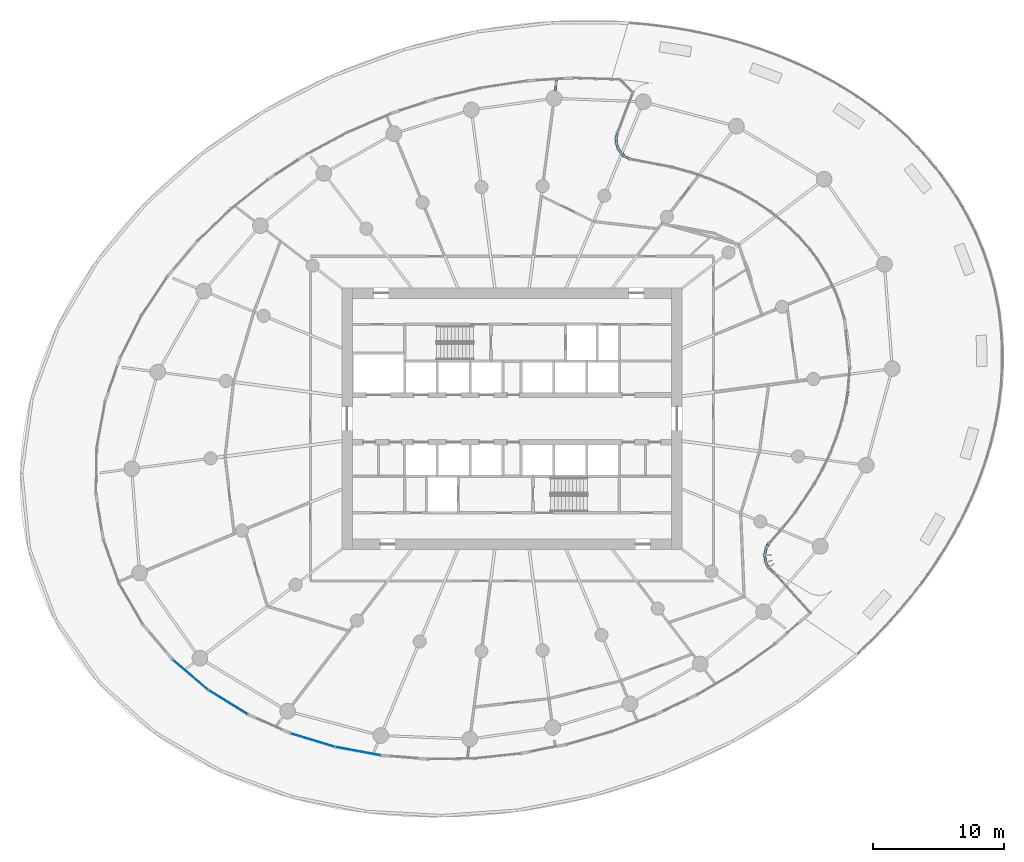
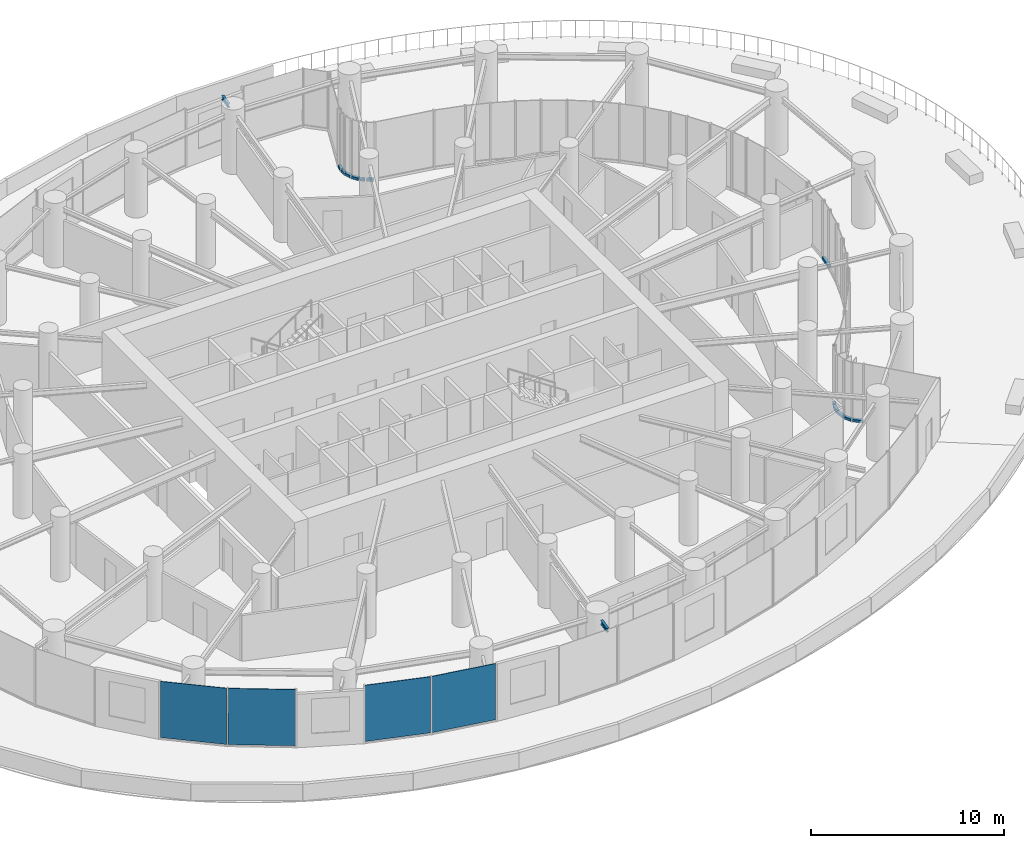
# One storey, part 8 of 24: 12 members, 4 plates, 2 beams, 6 elements without a shape of their own.
"""IFC4 building model written with IfcOpenShell, lengths in metres."""

import ifcopenshell
import ifcopenshell.guid

model = None  # the IFC model being written
_history = None  # IfcOwnerHistory: only IFC2X3 demands one
_inside = {}  # id of a spatial element -> (the spatial element, [elements in it])
_under = {}  # id of a project, library or spatial element -> (it, [spatial elements below it])
_declared = {}  # id of a project -> (the project, [libraries it declares])
_typed = {}  # id of a type object -> (the type object, [elements of that type])
_made_of = {}  # id of a material, layer set ... -> (it, [elements and type objects made of it])


def new_model(schema):
    """Start an empty IFC model of exactly this schema.

    Asked for "IFC4X3", IfcOpenShell would pick the latest addendum, in which some entities
    have other attributes; the version numbers below select the first issue.
    IFC2X3 requires an IfcOwnerHistory on every rooted entity: one is made here for all.
    """
    global model, _history
    if schema == "IFC4X3":
        model = ifcopenshell.file(schema_version=(4, 3, 0, 0))
    else:
        model = ifcopenshell.file(schema=schema)
    _inside.clear()
    _under.clear()
    _declared.clear()
    _typed.clear()
    _made_of.clear()
    _history = None
    if model.schema == "IFC2X3":
        org = make("IfcOrganization", Name="unknown")
        user = make(
            "IfcPersonAndOrganization",
            ThePerson=make("IfcPerson", FamilyName="unknown"),
            TheOrganization=org,
        )
        app = make(
            "IfcApplication",
            ApplicationDeveloper=org,
            Version="unknown",
            ApplicationFullName="unknown",
            ApplicationIdentifier="unknown",
        )
        _history = make(
            "IfcOwnerHistory",
            OwningUser=user,
            OwningApplication=app,
            ChangeAction="ADDED",
            CreationDate=0,
        )
    return model


def make(cls, **values):
    """One entity of the class cls with the attributes given. An attribute that is None is left unset."""
    return model.create_entity(
        cls, **{name: value for name, value in values.items() if value is not None}
    )


def rooted(cls, **values):
    """An entity with a GlobalId (a new one), such as an element, a storey or a relation."""
    return make(cls, GlobalId=ifcopenshell.guid.new(), OwnerHistory=_history, **values)


def si_unit(unit_type, name, prefix=None):
    """IfcSIUnit, for example si_unit("LENGTHUNIT", "METRE", prefix="MILLI")."""
    return make("IfcSIUnit", UnitType=unit_type, Prefix=prefix, Name=name)


def assignment(units):
    """IfcUnitAssignment: the units of a project."""
    return None if units is None else make("IfcUnitAssignment", Units=units)


def point(xyz):
    """IfcCartesianPoint."""
    return None if xyz is None else make("IfcCartesianPoint", Coordinates=xyz)


def direction(xyz):
    """IfcDirection."""
    return None if xyz is None else make("IfcDirection", DirectionRatios=xyz)


def frame(location, z_axis=None, x_axis=None):
    """IfcAxis2Placement3D, a coordinate frame: its origin and axes. An axis left out is left unset."""
    return make(
        "IfcAxis2Placement3D",
        Location=point(location),
        Axis=direction(z_axis),
        RefDirection=direction(x_axis),
    )


def frame_2d(location, x_axis=None):
    """IfcAxis2Placement2D, a coordinate frame in the plane: its origin and x axis."""
    return make(
        "IfcAxis2Placement2D", Location=point(location), RefDirection=direction(x_axis)
    )


def origin():
    """The frame at (0, 0, 0) with its axes left unset."""
    return frame((0.0, 0.0, 0.0))


def origin_2d():
    """The frame at (0, 0) in the plane with its x axis left unset."""
    return frame_2d((0.0, 0.0))


def place(relative_to, where):
    """IfcLocalPlacement: puts the frame where relative to a parent placement (None: the world)."""
    return make(
        "IfcLocalPlacement", PlacementRelTo=relative_to, RelativePlacement=where
    )


def context(
    kind, dimensions, precision=None, world=None, true_north=None, identifier=None
):
    """IfcGeometricRepresentationContext, for example the 3D "Model" context."""
    return make(
        "IfcGeometricRepresentationContext",
        ContextIdentifier=identifier,
        ContextType=kind,
        CoordinateSpaceDimension=dimensions,
        Precision=precision,
        WorldCoordinateSystem=world,
        TrueNorth=true_north,
    )


def subcontext(parent, identifier, kind, view, scale=None):
    """IfcGeometricRepresentationSubContext, for example "Body" below "Model"."""
    return make(
        "IfcGeometricRepresentationSubContext",
        ContextIdentifier=identifier,
        ContextType=kind,
        ParentContext=parent,
        TargetScale=scale,
        TargetView=view,
    )


def project(units=None, contexts=None):
    """IfcProject with its units and contexts."""
    return rooted(
        "IfcProject",
        Name="project",
        RepresentationContexts=contexts,
        UnitsInContext=assignment(units),
    )


def spatial(cls, under=None, at=None, **own):
    """A site, building, storey or space (cls), placed at a placement, below another one or the project."""
    s = rooted(cls, ObjectPlacement=at, **own)
    if under is not None:
        _under.setdefault(under.id(), (under, []))[1].append(s)
    return s


def profile(cls, at=None, kind="AREA", **sizes):
    """A parametric profile (cls). Its sizes go by their IFC names, for example OverallWidth=200.0."""
    return make(cls, ProfileType=kind, Position=at, **sizes)


def rectangle(**sizes):
    """IfcRectangleProfileDef."""
    return profile("IfcRectangleProfileDef", **sizes)


def i_section(**sizes):
    """IfcIShapeProfileDef."""
    return profile("IfcIShapeProfileDef", **sizes)


def extrude(swept, where, along, depth):
    """IfcExtrudedAreaSolid: the profile swept, set in the frame where, extruded along a direction by depth."""
    return make(
        "IfcExtrudedAreaSolid",
        SweptArea=swept,
        Position=where,
        ExtrudedDirection=direction(along),
        Depth=depth,
    )


def shape(context_of_items, identifier, shape_type, items):
    """IfcShapeRepresentation: the items that make up one representation, for example the "Body"."""
    return make(
        "IfcShapeRepresentation",
        ContextOfItems=context_of_items,
        RepresentationIdentifier=identifier,
        RepresentationType=shape_type,
        Items=items,
    )


def source(mapping_origin, context_of_items, identifier, shape_type, items):
    """IfcRepresentationMap: a shape defined once, which mapped items show again and again."""
    return make(
        "IfcRepresentationMap",
        MappingOrigin=mapping_origin,
        MappedRepresentation=shape(context_of_items, identifier, shape_type, items),
    )


def transform(
    local_origin,
    x_axis=None,
    y_axis=None,
    z_axis=None,
    scale=None,
    scale2=None,
    scale3=None,
    uniform=True,
):
    """IfcCartesianTransformationOperator3D, or its non-uniform kind. x_axis, y_axis, z_axis: its Axis1, 2, 3."""
    if uniform:
        return make(
            "IfcCartesianTransformationOperator3D",
            Axis1=direction(x_axis),
            Axis2=direction(y_axis),
            LocalOrigin=point(local_origin),
            Scale=scale,
            Axis3=direction(z_axis),
        )
    return make(
        "IfcCartesianTransformationOperator3DnonUniform",
        Axis1=direction(x_axis),
        Axis2=direction(y_axis),
        LocalOrigin=point(local_origin),
        Scale=scale,
        Axis3=direction(z_axis),
        Scale2=scale2,
        Scale3=scale3,
    )


def mapped(mapping_source, mapping_target):
    """IfcMappedItem: shows the shape of a source again, moved by a transform."""
    return make(
        "IfcMappedItem", MappingSource=mapping_source, MappingTarget=mapping_target
    )


def material(Name=None, Category=None):
    """IfcMaterial."""
    return make("IfcMaterial", Name=Name, Category=Category)


def layer(
    of_material, thickness, ventilated=None, Name=None, Category=None, Priority=None
):
    """IfcMaterialLayer: one layer of a wall or slab, of a material (None: an air gap)."""
    return make(
        "IfcMaterialLayer",
        Material=of_material,
        LayerThickness=thickness,
        IsVentilated=ventilated,
        Name=Name,
        Category=Category,
        Priority=Priority,
    )


def layer_set(layers, Name=None):
    """IfcMaterialLayerSet."""
    return make("IfcMaterialLayerSet", MaterialLayers=layers, LayerSetName=Name)


def material_profile(
    of_material, cross_section, Name=None, Category=None, Priority=None
):
    """IfcMaterialProfile: a cross section and its material."""
    return make(
        "IfcMaterialProfile",
        Name=Name,
        Material=of_material,
        Profile=cross_section,
        Priority=Priority,
        Category=Category,
    )


def profile_set(profiles, Name=None, composite=None):
    """IfcMaterialProfileSet."""
    return make(
        "IfcMaterialProfileSet",
        Name=Name,
        MaterialProfiles=profiles,
        CompositeProfile=composite,
    )


def made_of(thing, what):
    """Note that an element or type object is made of a material, layer set ...; save() writes the relation."""
    if what is not None:
        _made_of.setdefault(what.id(), (what, []))[1].append(thing)
    return thing


def type_object(cls, material=None, **own):
    """A type object (cls), such as IfcWallType, which elements share."""
    return made_of(rooted(cls, **own), material)


def element(
    cls,
    number,
    at=None,
    inside=None,
    cuts=None,
    type_object=None,
    material=None,
    context=None,
    identifier="Body",
    shape_type=None,
    held_by="IfcProductDefinitionShape",
    body=None,
    shapes=None,
    **own,
):
    """One element of the class cls, such as IfcWall. Its Tag is "e" and its number.

    at: its placement. inside: the storey or other place that contains it. cuts: it is an
    opening in that element (IfcRelVoidsElement). A single representation is given by context,
    identifier, shape_type and body (its items); several are given by shapes. held_by: the class
    of the entity that holds the representations. save() writes the other relations.
    """
    e = rooted(cls, Tag="e%d" % number, ObjectPlacement=at, **own)
    if body is not None:
        shapes = [shape(context, identifier, shape_type, body)]
    if shapes is not None:
        e.Representation = make(held_by, Representations=shapes)
    if inside is not None:
        _inside.setdefault(inside.id(), (inside, []))[1].append(e)
    if cuts is not None:
        rooted(
            "IfcRelVoidsElement", RelatingBuildingElement=cuts, RelatedOpeningElement=e
        )
    if type_object is not None:
        _typed.setdefault(type_object.id(), (type_object, []))[1].append(e)
    return made_of(e, material)


def aggregate(whole, parts):
    """IfcRelAggregates: a whole, such as a stair, and the parts it consists of."""
    return rooted("IfcRelAggregates", RelatingObject=whole, RelatedObjects=parts)


def save(model, path):
    """Write the relations noted so far, then the file.

    IfcRelAggregates (storeys below a building ...), IfcRelContainedInSpatialStructure (elements
    in a storey), IfcRelDefinesByType, IfcRelAssociatesMaterial and IfcRelDeclares: one each for
    every whole, place, type object, material and project.
    """
    for whole, parts in _under.values():
        aggregate(whole, parts)
    for where, things in _inside.values():
        rooted(
            "IfcRelContainedInSpatialStructure",
            RelatedElements=things,
            RelatingStructure=where,
        )
    for kind, things in _typed.values():
        rooted("IfcRelDefinesByType", RelatedObjects=things, RelatingType=kind)
    for what, things in _made_of.values():
        rooted("IfcRelAssociatesMaterial", RelatedObjects=things, RelatingMaterial=what)
    for by, libraries in _declared.values():
        rooted("IfcRelDeclares", RelatingContext=by, RelatedDefinitions=libraries)
    model.write(path)


model = new_model("IFC4")

# Units and contexts
model_context = context("Model", 3, precision=1e-05, world=origin(), true_north=direction((0.0, 1.0)))
body_context = subcontext(model_context, "Body", "Model", "MODEL_VIEW")
ifc_project = project(units=[si_unit("LENGTHUNIT", "METRE"), si_unit("AREAUNIT", "SQUARE_METRE"), si_unit("VOLUMEUNIT", "CUBIC_METRE"), si_unit("PLANEANGLEUNIT", "RADIAN"), si_unit("MASSUNIT", "GRAM", prefix="KILO")], contexts=[model_context])

# Site, building, storey
site_placement = place(None, origin())
site = spatial("IfcSite", under=ifc_project, at=site_placement, CompositionType="ELEMENT")
building_placement = place(site_placement, origin())
building = spatial("IfcBuilding", under=site, at=building_placement, Name="Spindrift Exchange Tower", CompositionType="ELEMENT")
storey_placement = place(building_placement, frame((0.0, 0.0, 79.800048828125)))
storey = spatial("IfcBuildingStorey", under=building, at=storey_placement, Name="L18", CompositionType="ELEMENT", Elevation=79.800048828125)

# Beams
ifc_material_1 = material(Name="Steel Grade 300", Category="steel")
ifc_material_profile_1 = material_profile(ifc_material_1, i_section(OverallWidth=0.14599609375, OverallDepth=0.251953125, WebThickness=0.006103515625, FlangeThickness=0.008544921875, FilletRadius=0.011962890625, at=origin_2d()), Name="250UB31.4")
ifc_profile_set_1 = profile_set([ifc_material_profile_1], Name="Steel Grade 300")
beam_type = type_object("IfcBeamType", Name="Cantilever Beam 250UB31.4 Steel Grade 300", PredefinedType="BEAM", material=ifc_profile_set_1)
shared_shape_1 = source(origin(), body_context, "Body", "SweptSolid", [
    extrude(i_section(OverallWidth=0.14599609375, OverallDepth=0.251953125, WebThickness=0.006103515625, FlangeThickness=0.008544921875, FilletRadius=0.011962890625, at=origin_2d()), origin(), (0.0, 0.0, 1.0), 0.845947265625),
])
for number, where, z_axis, x_axis, name in (
    (1, (55.298095703125, 73.0517578125, 3.573974609375), (0.1304619789, 0.991453313102, 0.0), (-0.991453313102, 0.1304619789, 0.0), "L18 cantilever beam R06T"),
    (2, (48.701904296875, 22.9482421875, 3.573974609375), (-0.1304619789, -0.991453313102, 0.0), (0.991453313102, -0.1304619789, 0.0), "L18 cantilever beam R18T"),
):
    element("IfcBeam", number, at=place(storey_placement, frame(where, z_axis=z_axis, x_axis=x_axis)), inside=storey, type_object=beam_type, Name=name, PredefinedType="BEAM", context=body_context, shape_type="MappedRepresentation", body=[
        mapped(shared_shape_1, transform((0.0, 0.0, 0.0), scale=1.0)),
    ])

# Curtain wall, members
ifc_material_2 = material(Name="Fritted laminated glass with bronze frame", Category="glass")
ifc_layer_1 = layer(ifc_material_2, 0.199951171875)
ifc_layer_set_1 = layer_set([ifc_layer_1], Name="SKY GARDEN BRONZE GLAZED WALL")
curtain_wall_type_1 = type_object("IfcCurtainWallType", Name="SKY GARDEN BRONZE GLAZED WALL", PredefinedType="NOTDEFINED", material=ifc_layer_set_1)
curtain_wall_1_placement = place(storey_placement, origin())
curtain_wall_1 = element("IfcCurtainWall", 3, at=curtain_wall_1_placement, inside=storey, type_object=curtain_wall_type_1, Name="L18 Sky Garden Bronze Glazed Wall run 7", PredefinedType="NOTDEFINED")
ifc_material_3 = material(Name="Bronze anodised aluminium", Category="aluminium")
ifc_material_profile_2 = material_profile(ifc_material_3, rectangle(XDim=0.179931640625, YDim=0.14990234375, at=origin_2d()), Name="SKY GARDEN BRONZE GLAZED WALL TRANSOM 180X150")
ifc_profile_set_2 = profile_set([ifc_material_profile_2], Name="Bronze anodised aluminium")
member_type = type_object("IfcMemberType", Name="SKY GARDEN BRONZE GLAZED WALL TRANSOM 180X150", PredefinedType="USERDEFINED", material=ifc_profile_set_2)
shared_shape_2 = source(origin(), body_context, "Body", "SweptSolid", [
    extrude(rectangle(XDim=0.179931640625, YDim=0.14990234375, at=origin_2d()), origin(), (0.0, 0.0, 1.0), 0.52880859375),
])
member_1_placement = place(storey_placement, frame((72.032958984375, 36.218017578125, 0.074951171875), z_axis=(-0.745700029367, 0.666281821905, 0.0), x_axis=(-0.666281821905, -0.745700029367, 0.0)))
member_1 = element("IfcMember", 4, at=member_1_placement, type_object=member_type, Name="L18 transom CW-G.37", ObjectType="TRANSOM", PredefinedType="USERDEFINED", context=body_context, shape_type="MappedRepresentation", body=[
    mapped(shared_shape_2, transform((0.0, 0.0, 0.0), scale=1.0)),
])
shared_shape_3 = source(origin(), body_context, "Body", "SweptSolid", [
    extrude(rectangle(XDim=0.179931640625, YDim=0.14990234375, at=origin_2d()), origin(), (0.0, 0.0, 1.0), 0.383544921875),
])
member_2_placement = place(storey_placement, frame((71.5869140625, 36.635986328125, 0.074951171875), z_axis=(-0.470984602411, 0.882141431003, 0.0), x_axis=(-0.882141431003, -0.470984602411, 0.0)))
member_2 = element("IfcMember", 5, at=member_2_placement, type_object=member_type, Name="L18 transom CW-G.38", ObjectType="TRANSOM", PredefinedType="USERDEFINED", context=body_context, shape_type="MappedRepresentation", body=[
    mapped(shared_shape_3, transform((0.0, 0.0, 0.0), scale=1.0)),
])
shared_shape_4 = source(origin(), body_context, "Body", "SweptSolid", [
    extrude(rectangle(XDim=0.179931640625, YDim=0.14990234375, at=origin_2d()), origin(), (0.0, 0.0, 1.0), 0.526123046875),
])
member_3_placement = place(storey_placement, frame((71.38037109375, 37.053955078125, 0.074951171875), z_axis=(-0.140122089259, 0.990134233375, 0.0), x_axis=(-0.990134233375, -0.140122089259, 0.0)))
member_3 = element("IfcMember", 6, at=member_3_placement, type_object=member_type, Name="L18 transom CW-G.39", ObjectType="TRANSOM", PredefinedType="USERDEFINED", context=body_context, shape_type="MappedRepresentation", body=[
    mapped(shared_shape_4, transform((0.0, 0.0, 0.0), scale=1.0)),
])
shared_shape_5 = source(origin(), body_context, "Body", "SweptSolid", [
    extrude(rectangle(XDim=0.179931640625, YDim=0.14990234375, at=origin_2d()), origin(), (0.0, 0.0, 1.0), 0.531005859375),
])
member_4_placement = place(storey_placement, frame((71.3115234375, 37.658203125, 0.074951171875), z_axis=(0.255601928158, 0.966782113158, 0.0), x_axis=(-0.966782113158, 0.255601928158, 0.0)))
member_4 = element("IfcMember", 7, at=member_4_placement, type_object=member_type, Name="L18 transom CW-G.40", ObjectType="TRANSOM", PredefinedType="USERDEFINED", context=body_context, shape_type="MappedRepresentation", body=[
    mapped(shared_shape_5, transform((0.0, 0.0, 0.0), scale=1.0)),
])
shared_shape_6 = source(origin(), body_context, "Body", "SweptSolid", [
    extrude(rectangle(XDim=0.179931640625, YDim=0.14990234375, at=origin_2d()), origin(), (0.0, 0.0, 1.0), 0.229736328125),
])
member_5_placement = place(storey_placement, frame((71.48046875, 38.248779296875, 0.074951171875), z_axis=(0.531431256235, 0.847101422438, 0.0), x_axis=(-0.847101422438, 0.531431256235, 0.0)))
member_5 = element("IfcMember", 8, at=member_5_placement, type_object=member_type, Name="L18 transom CW-G.41", ObjectType="TRANSOM", PredefinedType="USERDEFINED", context=body_context, shape_type="MappedRepresentation", body=[
    mapped(shared_shape_6, transform((0.0, 0.0, 0.0), scale=1.0)),
])
aggregate(curtain_wall_1, [member_1, member_2, member_3, member_4, member_5])

# Curtain wall, member
curtain_wall_2_placement = place(storey_placement, origin())
curtain_wall_2 = element("IfcCurtainWall", 9, at=curtain_wall_2_placement, inside=storey, type_object=curtain_wall_type_1, Name="L18 Sky Garden Bronze Glazed Wall run 12", PredefinedType="NOTDEFINED")
member_6_placement = place(storey_placement, frame((60.56884765625, 68.076416015625, 0.074951171875), z_axis=(-0.748346939228, 0.663307514316, 0.0), x_axis=(-0.663307514316, -0.748346939228, 0.0)))
member_6 = element("IfcMember", 10, at=member_6_placement, type_object=member_type, Name="L18 transom CW-G.70", ObjectType="TRANSOM", PredefinedType="USERDEFINED", context=body_context, shape_type="MappedRepresentation", body=[
    mapped(shared_shape_6, transform((0.0, 0.0, 0.0), scale=1.0)),
])

curtain_wall_3_placement = place(storey_placement, origin())
curtain_wall_3 = element("IfcCurtainWall", 11, at=curtain_wall_3_placement, inside=storey, type_object=curtain_wall_type_1, Name="L18 Sky Garden Bronze Glazed Wall run 13", PredefinedType="NOTDEFINED")
member_7_placement = place(storey_placement, frame((59.970947265625, 69.122314453125, 0.074951171875), z_axis=(-0.04569689373, 0.998955351306, 0.0), x_axis=(-0.998955351306, -0.04569689373, 0.0)))
member_7 = element("IfcMember", 12, at=member_7_placement, type_object=member_type, Name="L18 transom CW-G.73", ObjectType="TRANSOM", PredefinedType="USERDEFINED", context=body_context, shape_type="MappedRepresentation", body=[
    mapped(shared_shape_6, transform((0.0, 0.0, 0.0), scale=1.0)),
])

curtain_wall_4_placement = place(storey_placement, origin())
curtain_wall_4 = element("IfcCurtainWall", 13, at=curtain_wall_4_placement, inside=storey, type_object=curtain_wall_type_1, Name="L18 Sky Garden Bronze Glazed Wall run 9", PredefinedType="NOTDEFINED")
shared_shape_7 = source(origin(), body_context, "Body", "SweptSolid", [
    extrude(rectangle(XDim=0.179931640625, YDim=0.14990234375, at=origin_2d()), origin(), (0.0, 0.0, 1.0), 0.83251953125),
])
member_8_placement = place(storey_placement, frame((77.513671875, 49.220947265625, 0.074951171875), z_axis=(0.165397565751, 0.986226974506, 0.0), x_axis=(-0.986226974506, 0.165397565751, 0.0)))
member_8 = element("IfcMember", 14, at=member_8_placement, type_object=member_type, Name="L18 transom CW-G.50", ObjectType="TRANSOM", PredefinedType="USERDEFINED", context=body_context, shape_type="MappedRepresentation", body=[
    mapped(shared_shape_7, transform((0.0, 0.0, 0.0), scale=1.0)),
])
aggregate(curtain_wall_4, [member_8])

# Member
shared_shape_8 = source(origin(), body_context, "Body", "SweptSolid", [
    extrude(rectangle(XDim=0.179931640625, YDim=0.14990234375, at=origin_2d()), origin(), (0.0, 0.0, 1.0), 0.378662109375),
])
member_9_placement = place(storey_placement, frame((60.975341796875, 67.856201171875, 0.074951171875), z_axis=(-0.889998683767, 0.455963093785, 0.0), x_axis=(-0.455963093785, -0.889998683767, 0.0)))
member_9 = element("IfcMember", 15, at=member_9_placement, type_object=member_type, Name="L18 transom CW-G.69", ObjectType="TRANSOM", PredefinedType="USERDEFINED", context=body_context, shape_type="MappedRepresentation", body=[
    mapped(shared_shape_8, transform((0.0, 0.0, 0.0), scale=1.0)),
])

shared_shape_9 = source(origin(), body_context, "Body", "SweptSolid", [
    extrude(rectangle(XDim=0.179931640625, YDim=0.14990234375, at=origin_2d()), origin(), (0.0, 0.0, 1.0), 0.37841796875),
])
member_10_placement = place(storey_placement, frame((60.341552734375, 68.292236328125, 0.074951171875), z_axis=(-0.559306650785, 0.828960837668, 0.0), x_axis=(-0.828960837668, -0.559306650785, 0.0)))
member_10 = element("IfcMember", 16, at=member_10_placement, type_object=member_type, Name="L18 transom CW-G.71", ObjectType="TRANSOM", PredefinedType="USERDEFINED", context=body_context, shape_type="MappedRepresentation", body=[
    mapped(shared_shape_9, transform((0.0, 0.0, 0.0), scale=1.0)),
])

aggregate(curtain_wall_2, [member_9, member_6, member_10])

shared_shape_10 = source(origin(), body_context, "Body", "SweptSolid", [
    extrude(rectangle(XDim=0.179931640625, YDim=0.14990234375, at=origin_2d()), origin(), (0.0, 0.0, 1.0), 0.37353515625),
])
member_11_placement = place(storey_placement, frame((60.09375, 68.681884765625, 0.074951171875), z_axis=(-0.290823522748, 0.95677671304, 0.0), x_axis=(-0.95677671304, -0.290823522748, 0.0)))
member_11 = element("IfcMember", 17, at=member_11_placement, type_object=member_type, Name="L18 transom CW-G.72", ObjectType="TRANSOM", PredefinedType="USERDEFINED", context=body_context, shape_type="MappedRepresentation", body=[
    mapped(shared_shape_10, transform((0.0, 0.0, 0.0), scale=1.0)),
])

shared_shape_11 = source(origin(), body_context, "Body", "SweptSolid", [
    extrude(rectangle(XDim=0.179931640625, YDim=0.14990234375, at=origin_2d()), origin(), (0.0, 0.0, 1.0), 0.376220703125),
])
member_12_placement = place(storey_placement, frame((59.96728515625, 69.435791015625, 0.074951171875), z_axis=(0.204472657098, 0.978872275886, 0.0), x_axis=(-0.978872275886, 0.204472657098, 0.0)))
member_12 = element("IfcMember", 18, at=member_12_placement, type_object=member_type, Name="L18 transom CW-G.74", ObjectType="TRANSOM", PredefinedType="USERDEFINED", context=body_context, shape_type="MappedRepresentation", body=[
    mapped(shared_shape_11, transform((0.0, 0.0, 0.0), scale=1.0)),
])

aggregate(curtain_wall_3, [member_11, member_7, member_12])

# Curtain wall, plate
ifc_layer_2 = layer(ifc_material_2, 0.18994140625)
ifc_layer_set_2 = layer_set([ifc_layer_2], Name="ZONE 2 BRONZE FRITTED WALL")
curtain_wall_type_2 = type_object("IfcCurtainWallType", Name="ZONE 2 BRONZE FRITTED WALL", PredefinedType="NOTDEFINED", material=ifc_layer_set_2)
curtain_wall_5_placement = place(storey_placement, origin())
curtain_wall_5 = element("IfcCurtainWall", 19, at=curtain_wall_5_placement, inside=storey, type_object=curtain_wall_type_2, Name="L18 Zone 2 Bronze Fritted Wall run 5", PredefinedType="NOTDEFINED")
ifc_material_4 = material(Name="Bronze tinted laminated glass, light frit", Category="glass")
ifc_layer_3 = layer(ifc_material_4, 0.033935546875)
ifc_layer_set_3 = layer_set([ifc_layer_3], Name="ZONE 2 BRONZE FRITTED WALL PANEL LIGHT FRIT 960")
plate_type_1 = type_object("IfcPlateType", Name="ZONE 2 BRONZE FRITTED WALL PANEL LIGHT FRIT 960", PredefinedType="CURTAIN_PANEL", material=ifc_layer_set_3)
shared_shape_12 = source(origin(), body_context, "Body", "SweptSolid", [
    extrude(rectangle(XDim=3.4912109375, YDim=0.033935546875, at=origin_2d()), origin(), (0.0, 0.0, 1.0), 3.56005859375),
])
plate_1_placement = place(storey_placement, frame((40.23779296875, 22.59716796875, 0.139892578125), z_axis=(0.0, 0.0, 1.0), x_axis=(0.983175298719, -0.182664534019, 0.0)))
plate_1 = element("IfcPlate", 20, at=plate_1_placement, type_object=plate_type_1, Name="L18 panel CW-2.25", PredefinedType="CURTAIN_PANEL", context=body_context, shape_type="MappedRepresentation", body=[
    mapped(shared_shape_12, transform((0.0, 0.0, 0.0), scale=1.0)),
])
aggregate(curtain_wall_5, [plate_1])

# Curtain wall, plates
curtain_wall_6_placement = place(storey_placement, origin())
curtain_wall_6 = element("IfcCurtainWall", 21, at=curtain_wall_6_placement, inside=storey, type_object=curtain_wall_type_2, Name="L18 Zone 2 Bronze Fritted Wall run 4", PredefinedType="NOTDEFINED")
ifc_layer_4 = layer(ifc_material_4, 0.033935546875)
ifc_layer_set_4 = layer_set([ifc_layer_4], Name="ZONE 2 BRONZE FRITTED WALL PANEL LIGHT FRIT 1200")
plate_type_2 = type_object("IfcPlateType", Name="ZONE 2 BRONZE FRITTED WALL PANEL LIGHT FRIT 1200", PredefinedType="CURTAIN_PANEL", material=ifc_layer_set_4)
shared_shape_13 = source(origin(), body_context, "Body", "SweptSolid", [
    extrude(rectangle(XDim=3.489013671875, YDim=0.033935546875, at=origin_2d()), origin(), (0.0, 0.0, 1.0), 3.56005859375),
])
plate_2_placement = place(storey_placement, frame((27.426025390625, 28.43896484375, 0.139892578125), z_axis=(0.0, 0.0, 1.0), x_axis=(0.762282123348, -0.647244902972, 0.0)))
plate_2 = element("IfcPlate", 22, at=plate_2_placement, type_object=plate_type_2, Name="L18 panel CW-2.21", PredefinedType="CURTAIN_PANEL", context=body_context, shape_type="MappedRepresentation", body=[
    mapped(shared_shape_13, transform((0.0, 0.0, 0.0), scale=1.0)),
])
shared_shape_14 = source(origin(), body_context, "Body", "SweptSolid", [
    extrude(rectangle(XDim=3.48974609375, YDim=0.033935546875, at=origin_2d()), origin(), (0.0, 0.0, 1.0), 3.56005859375),
])
plate_3_placement = place(storey_placement, frame((30.300048828125, 26.347900390625, 0.139892578125), z_axis=(0.0, 0.0, 1.0), x_axis=(0.850400897435, -0.526135261736, 0.0)))
plate_3 = element("IfcPlate", 23, at=plate_3_placement, type_object=plate_type_2, Name="L18 panel CW-2.22", PredefinedType="CURTAIN_PANEL", context=body_context, shape_type="MappedRepresentation", body=[
    mapped(shared_shape_14, transform((0.0, 0.0, 0.0), scale=1.0)),
])
shared_shape_15 = source(origin(), body_context, "Body", "SweptSolid", [
    extrude(rectangle(XDim=3.490478515625, YDim=0.033935546875, at=origin_2d()), origin(), (0.0, 0.0, 1.0), 3.56005859375),
])
plate_4_placement = place(storey_placement, frame((36.779052734375, 23.442138671875, 0.139892578125), z_axis=(0.0, 0.0, 1.0), x_axis=(0.956629216353, -0.291308328785, 0.0)))
plate_4 = element("IfcPlate", 24, at=plate_4_placement, type_object=plate_type_2, Name="L18 panel CW-2.24", PredefinedType="CURTAIN_PANEL", context=body_context, shape_type="MappedRepresentation", body=[
    mapped(shared_shape_15, transform((0.0, 0.0, 0.0), scale=1.0)),
])
aggregate(curtain_wall_6, [plate_2, plate_3, plate_4])

save(model, "model.ifc")
